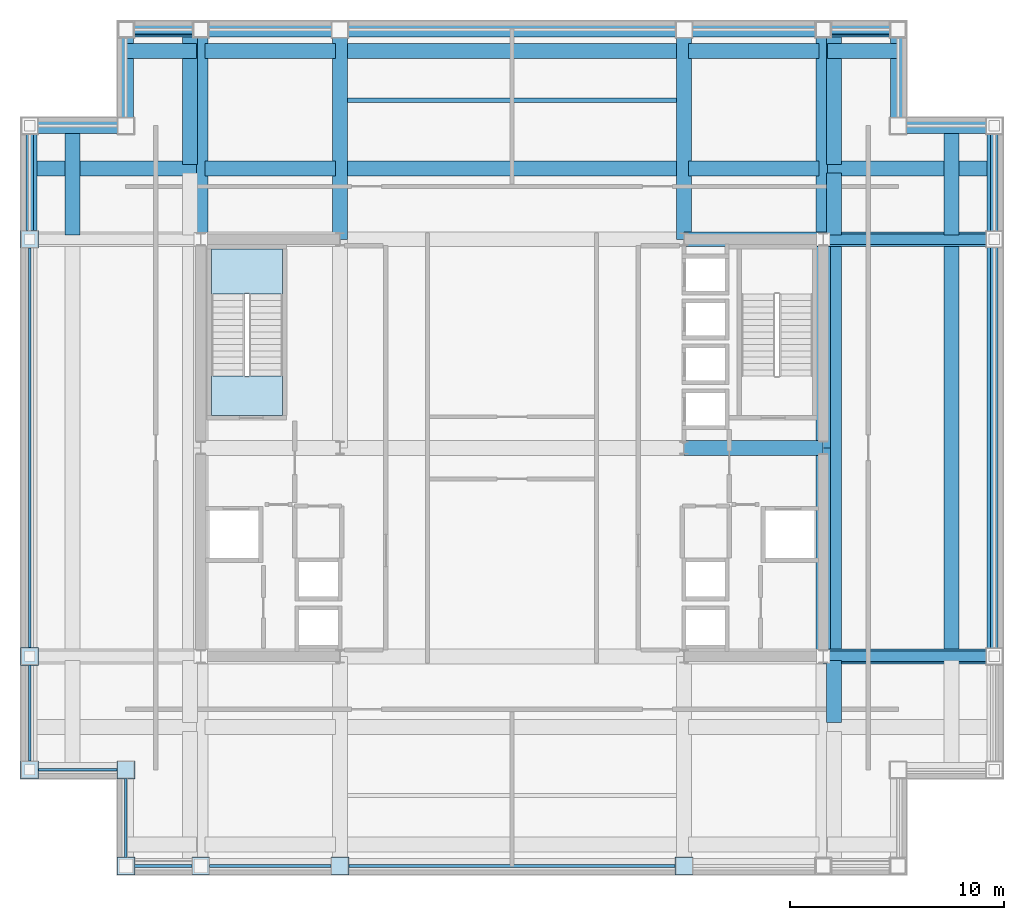
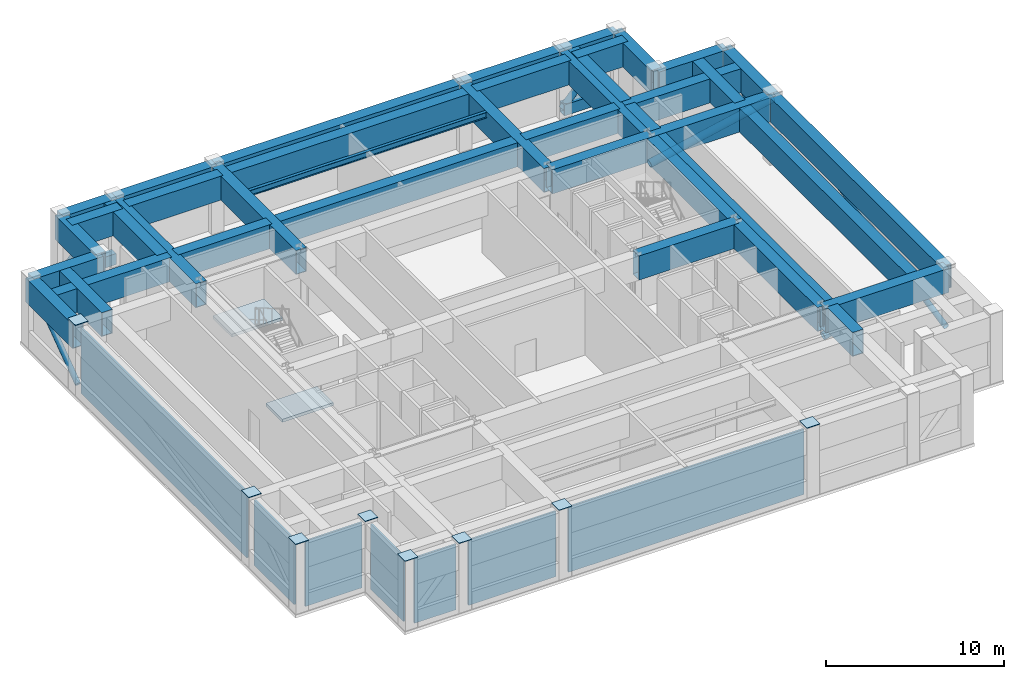
# One storey, part 2 of 9: 41 beams, 15 plates, 9 members, 2 slabs, 1 element without a shape of its own.
"""IFC4 building model written with IfcOpenShell, lengths in metres."""

from ifc_helpers import new_model, si_unit, direction, frame, origin, origin_2d, place, context, subcontext, project, spatial, polyline, rectangle, hollow_rectangle, hollow_circle, i_section, outline, extrude, material, layer, layer_set, material_profile, profile_set, type_object, element, aggregate, save


model = new_model("IFC4")

# Units and contexts
model_context = context("Model", 3, precision=1e-05, world=origin(), true_north=direction((0.0, 1.0)))
body_context = subcontext(model_context, "Body", "Model", "MODEL_VIEW")
ifc_project = project(units=[si_unit("LENGTHUNIT", "METRE"), si_unit("AREAUNIT", "SQUARE_METRE"), si_unit("VOLUMEUNIT", "CUBIC_METRE"), si_unit("PLANEANGLEUNIT", "RADIAN"), si_unit("MASSUNIT", "GRAM", prefix="KILO")], contexts=[model_context])

# Site, building, storey
site_placement = place(None, origin())
site = spatial("IfcSite", under=ifc_project, at=site_placement, CompositionType="ELEMENT")
building_placement = place(site_placement, origin())
building = spatial("IfcBuilding", under=site, at=building_placement, Name="Brelmoor Portico Tower", CompositionType="ELEMENT")
storey_placement = place(building_placement, frame((0.0, 0.0, 145.800048828125)))
storey = spatial("IfcBuildingStorey", under=building, at=storey_placement, Name="L38", CompositionType="ELEMENT", Elevation=145.800048828125)

# Beams
ifc_material_1 = material(Name="Steel Q355B", Category="steel")
ifc_material_profile_1 = material_profile(ifc_material_1, i_section(OverallWidth=0.199951171875, OverallDepth=0.39990234375, WebThickness=0.008056640625, FlangeThickness=0.012939453125, at=origin_2d()), Name="HN 400x200x8x13")
ifc_profile_set_1 = profile_set([ifc_material_profile_1], Name="Steel Q355B")
beam_type_1 = type_object("IfcBeamType", Name="BM-JS-400", PredefinedType="JOIST", material=ifc_profile_set_1)
beam_1_placement = place(storey_placement, frame((-7.699951171875, 16.25, 4.39990234375), z_axis=(1.0, 0.0, 0.0), x_axis=(0.0, 1.0, 0.0)))
element("IfcBeam", 1, at=beam_1_placement, inside=storey, type_object=beam_type_1, Name="L38 Secondary Composite Joist JS-C02", PredefinedType="JOIST", context=body_context, shape_type="SweptSolid", body=[
    extrude(i_section(OverallWidth=0.199951171875, OverallDepth=0.39990234375, WebThickness=0.008056640625, FlangeThickness=0.012939453125, at=origin_2d()), origin(), (0.0, 0.0, 1.0), 15.39990234375),
])
ifc_material_profile_2 = material_profile(ifc_material_1, hollow_rectangle(XDim=0.699951171875, YDim=1.64990234375, WallThickness=0.0400390625, at=origin_2d()), Name="BOX 700x1650x40")
ifc_profile_set_2 = profile_set([ifc_material_profile_2], Name="Steel Q355B")
beam_type_2 = type_object("IfcBeamType", Name="BM-TG-Z3", PredefinedType="BEAM", material=ifc_profile_set_2)
for number, where, z_axis, x_axis, name in (
    (2, (-22.550048828125, 15.050048828125, 3.77490234375), (1.0, 0.0, 0.0), (0.0, 1.0, 0.0), "L38 Perimeter Transfer Beam SP-08"),
    (3, (18.050048828125, 15.050048828125, 3.77490234375), (1.0, 0.0, 0.0), (0.0, 1.0, 0.0), "L38 Perimeter Transfer Beam SP-09"),
):
    element("IfcBeam", number, at=place(storey_placement, frame(where, z_axis=z_axis, x_axis=x_axis)), inside=storey, type_object=beam_type_2, Name=name, PredefinedType="BEAM", context=body_context, shape_type="SweptSolid", body=[
        extrude(hollow_rectangle(XDim=0.699951171875, YDim=1.64990234375, WallThickness=0.0400390625, at=origin_2d()), origin(), (0.0, 0.0, 1.0), 4.5),
    ])
beam_2_placement = place(storey_placement, frame((-18.050048828125, 19.550048828125, 3.77490234375), z_axis=(1.0, 0.0, 0.0), x_axis=(0.0, 1.0, 0.0)))
element("IfcBeam", 4, at=beam_2_placement, inside=storey, type_object=beam_type_2, Name="L38 Perimeter Transfer Beam SP-10", PredefinedType="BEAM", context=body_context, shape_type="SweptSolid", body=[
    extrude(hollow_rectangle(XDim=0.699951171875, YDim=1.64990234375, WallThickness=0.0400390625, at=origin_2d()), origin(), (0.0, 0.0, 1.0), 3.5),
])
beam_3_placement = place(storey_placement, frame((-14.550048828125, 19.550048828125, 3.77490234375), z_axis=(1.0, 0.0, 0.0), x_axis=(0.0, 1.0, 0.0)))
element("IfcBeam", 5, at=beam_3_placement, inside=storey, type_object=beam_type_2, Name="L38 Perimeter Transfer Beam SP-11", PredefinedType="BEAM", context=body_context, shape_type="SweptSolid", body=[
    extrude(hollow_rectangle(XDim=0.699951171875, YDim=1.64990234375, WallThickness=0.0400390625, at=origin_2d()), origin(), (0.0, 0.0, 1.0), 6.5),
])
beam_4_placement = place(storey_placement, frame((-8.050048828125, 19.550048828125, 3.77490234375), z_axis=(1.0, 0.0, 0.0), x_axis=(0.0, 1.0, 0.0)))
element("IfcBeam", 6, at=beam_4_placement, inside=storey, type_object=beam_type_2, Name="L38 Perimeter Transfer Beam SP-12", PredefinedType="BEAM", context=body_context, shape_type="SweptSolid", body=[
    extrude(hollow_rectangle(XDim=0.699951171875, YDim=1.64990234375, WallThickness=0.0400390625, at=origin_2d()), origin(), (0.0, 0.0, 1.0), 16.10009765625),
])
beam_5_placement = place(storey_placement, frame((8.050048828125, 19.550048828125, 3.77490234375), z_axis=(1.0, 0.0, 0.0), x_axis=(0.0, 1.0, 0.0)))
element("IfcBeam", 7, at=beam_5_placement, inside=storey, type_object=beam_type_2, Name="L38 Perimeter Transfer Beam SP-13", PredefinedType="BEAM", context=body_context, shape_type="SweptSolid", body=[
    extrude(hollow_rectangle(XDim=0.699951171875, YDim=1.64990234375, WallThickness=0.0400390625, at=origin_2d()), origin(), (0.0, 0.0, 1.0), 6.5),
])
beam_6_placement = place(storey_placement, frame((14.550048828125, 19.550048828125, 3.77490234375), z_axis=(1.0, 0.0, 0.0), x_axis=(0.0, 1.0, 0.0)))
element("IfcBeam", 8, at=beam_6_placement, inside=storey, type_object=beam_type_2, Name="L38 Perimeter Transfer Beam SP-14", PredefinedType="BEAM", context=body_context, shape_type="SweptSolid", body=[
    extrude(hollow_rectangle(XDim=0.699951171875, YDim=1.64990234375, WallThickness=0.0400390625, at=origin_2d()), origin(), (0.0, 0.0, 1.0), 3.5),
])
beam_7_placement = place(storey_placement, frame((-22.550048828125, 9.75, 3.77490234375), z_axis=(0.0, 1.0, 0.0), x_axis=(-1.0, 0.0, 0.0)))
element("IfcBeam", 9, at=beam_7_placement, inside=storey, type_object=beam_type_2, Name="L38 Perimeter Transfer Beam SP-17", PredefinedType="BEAM", context=body_context, shape_type="SweptSolid", body=[
    extrude(hollow_rectangle(XDim=0.699951171875, YDim=1.64990234375, WallThickness=0.0400390625, at=origin_2d()), origin(), (0.0, 0.0, 1.0), 5.300048828125),
])
for number, where, z_axis, x_axis, name in (
    (10, (-18.050048828125, 15.050048828125, 3.77490234375), (0.0, 1.0, 0.0), (-1.0, 0.0, 0.0), "L38 Perimeter Transfer Beam SP-19"),
    (11, (18.050048828125, 15.050048828125, 3.77490234375), (0.0, 1.0, 0.0), (-1.0, 0.0, 0.0), "L38 Perimeter Transfer Beam SP-21"),
):
    element("IfcBeam", number, at=place(storey_placement, frame(where, z_axis=z_axis, x_axis=x_axis)), inside=storey, type_object=beam_type_2, Name=name, PredefinedType="BEAM", context=body_context, shape_type="SweptSolid", body=[
        extrude(hollow_rectangle(XDim=0.699951171875, YDim=1.64990234375, WallThickness=0.0400390625, at=origin_2d()), origin(), (0.0, 0.0, 1.0), 4.5),
    ])
beam_8_placement = place(storey_placement, frame((22.550048828125, -9.75, 3.77490234375), z_axis=(0.0, 1.0, 0.0), x_axis=(-1.0, 0.0, 0.0)))
element("IfcBeam", 12, at=beam_8_placement, inside=storey, type_object=beam_type_2, Name="L38 Perimeter Transfer Beam SP-23", PredefinedType="BEAM", context=body_context, shape_type="SweptSolid", body=[
    extrude(hollow_rectangle(XDim=0.699951171875, YDim=1.64990234375, WallThickness=0.0400390625, at=origin_2d()), origin(), (0.0, 0.0, 1.0), 19.5),
])
beam_9_placement = place(storey_placement, frame((22.550048828125, 9.75, 3.77490234375), z_axis=(0.0, 1.0, 0.0), x_axis=(-1.0, 0.0, 0.0)))
element("IfcBeam", 13, at=beam_9_placement, inside=storey, type_object=beam_type_2, Name="L38 Perimeter Transfer Beam SP-24", PredefinedType="BEAM", context=body_context, shape_type="SweptSolid", body=[
    extrude(hollow_rectangle(XDim=0.699951171875, YDim=1.64990234375, WallThickness=0.0400390625, at=origin_2d()), origin(), (0.0, 0.0, 1.0), 5.300048828125),
])
for number, where, z_axis, x_axis, name in (
    (14, (-14.550048828125, 9.75, 3.77490234375), (0.0, 1.0, 0.0), (-1.0, 0.0, 0.0), "L38 Setback Transfer Girder PG-04"),
    (15, (-8.050048828125, 9.75, 3.77490234375), (0.0, 1.0, 0.0), (-1.0, 0.0, 0.0), "L38 Setback Transfer Girder PG-07"),
    (16, (8.050048828125, 9.75, 3.77490234375), (0.0, 1.0, 0.0), (-1.0, 0.0, 0.0), "L38 Setback Transfer Girder PG-09"),
):
    element("IfcBeam", number, at=place(storey_placement, frame(where, z_axis=z_axis, x_axis=x_axis)), inside=storey, type_object=beam_type_2, Name=name, PredefinedType="BEAM", context=body_context, shape_type="SweptSolid", body=[
        extrude(hollow_rectangle(XDim=0.699951171875, YDim=1.64990234375, WallThickness=0.0400390625, at=origin_2d()), origin(), (0.0, 0.0, 1.0), 9.800048828125),
    ])
for number, where, z_axis, x_axis, name in (
    (17, (14.550048828125, -9.75, 3.77490234375), (0.0, 1.0, 0.0), (-1.0, 0.0, 0.0), "L38 Setback Transfer Girder PG-11"),
    (18, (14.550048828125, 0.0, 3.77490234375), (0.0, 1.0, 0.0), (-1.0, 0.0, 0.0), "L38 Setback Transfer Girder PG-12"),
):
    element("IfcBeam", number, at=place(storey_placement, frame(where, z_axis=z_axis, x_axis=x_axis)), inside=storey, type_object=beam_type_2, Name=name, PredefinedType="BEAM", context=body_context, shape_type="SweptSolid", body=[
        extrude(hollow_rectangle(XDim=0.699951171875, YDim=1.64990234375, WallThickness=0.0400390625, at=origin_2d()), origin(), (0.0, 0.0, 1.0), 9.75),
    ])
beam_10_placement = place(storey_placement, frame((14.550048828125, 9.75, 3.77490234375), z_axis=(0.0, 1.0, 0.0), x_axis=(-1.0, 0.0, 0.0)))
element("IfcBeam", 19, at=beam_10_placement, inside=storey, type_object=beam_type_2, Name="L38 Setback Transfer Girder PG-13", PredefinedType="BEAM", context=body_context, shape_type="SweptSolid", body=[
    extrude(hollow_rectangle(XDim=0.699951171875, YDim=1.64990234375, WallThickness=0.0400390625, at=origin_2d()), origin(), (0.0, 0.0, 1.0), 9.800048828125),
])
beam_11_placement = place(storey_placement, frame((14.550048828125, -9.75, 3.77490234375), z_axis=(1.0, 0.0, 0.0), x_axis=(0.0, 1.0, 0.0)))
element("IfcBeam", 20, at=beam_11_placement, inside=storey, type_object=beam_type_2, Name="L38 Setback Transfer Girder PG-18", PredefinedType="BEAM", context=body_context, shape_type="SweptSolid", body=[
    extrude(hollow_rectangle(XDim=0.699951171875, YDim=1.64990234375, WallThickness=0.0400390625, at=origin_2d()), origin(), (0.0, 0.0, 1.0), 8.0),
])
for number, where, z_axis, x_axis, name in (
    (21, (8.050048828125, 0.0, 3.77490234375), (1.0, 0.0, 0.0), (0.0, 1.0, 0.0), "L38 Setback Transfer Girder PG-21"),
    (22, (8.050048828125, 9.75, 3.77490234375), (1.0, 0.0, 0.0), (0.0, 1.0, 0.0), "L38 Setback Transfer Girder PG-25"),
):
    element("IfcBeam", number, at=place(storey_placement, frame(where, z_axis=z_axis, x_axis=x_axis)), inside=storey, type_object=beam_type_2, Name=name, PredefinedType="BEAM", context=body_context, shape_type="SweptSolid", body=[
        extrude(hollow_rectangle(XDim=0.699951171875, YDim=1.64990234375, WallThickness=0.0400390625, at=origin_2d()), origin(), (0.0, 0.0, 1.0), 6.5),
    ])
beam_12_placement = place(storey_placement, frame((14.550048828125, 9.75, 3.77490234375), z_axis=(1.0, 0.0, 0.0), x_axis=(0.0, 1.0, 0.0)))
element("IfcBeam", 23, at=beam_12_placement, inside=storey, type_object=beam_type_2, Name="L38 Setback Transfer Girder PG-26", PredefinedType="BEAM", context=body_context, shape_type="SweptSolid", body=[
    extrude(hollow_rectangle(XDim=0.699951171875, YDim=1.64990234375, WallThickness=0.0400390625, at=origin_2d()), origin(), (0.0, 0.0, 1.0), 8.0),
])
beam_13_placement = place(storey_placement, frame((-18.050048828125, 18.550048828125, 3.77490234375), z_axis=(1.0, 0.0, 0.0), x_axis=(0.0, 1.0, 0.0)))
element("IfcBeam", 24, at=beam_13_placement, inside=storey, type_object=beam_type_2, Name="L38 Setback Transfer Girder TGN-06", PredefinedType="BEAM", context=body_context, shape_type="SweptSolid", body=[
    extrude(hollow_rectangle(XDim=0.699951171875, YDim=1.64990234375, WallThickness=0.0400390625, at=origin_2d()), origin(), (0.0, 0.0, 1.0), 3.300048828125),
])
beam_14_placement = place(storey_placement, frame((-14.35009765625, 18.550048828125, 3.77490234375), z_axis=(1.0, 0.0, 0.0), x_axis=(0.0, 1.0, 0.0)))
element("IfcBeam", 25, at=beam_14_placement, inside=storey, type_object=beam_type_2, Name="L38 Setback Transfer Girder TGN-07", PredefinedType="BEAM", context=body_context, shape_type="SweptSolid", body=[
    extrude(hollow_rectangle(XDim=0.699951171875, YDim=1.64990234375, WallThickness=0.0400390625, at=origin_2d()), origin(), (0.0, 0.0, 1.0), 6.10009765625),
])
beam_15_placement = place(storey_placement, frame((-7.85009765625, 18.550048828125, 3.77490234375), z_axis=(1.0, 0.0, 0.0), x_axis=(0.0, 1.0, 0.0)))
element("IfcBeam", 26, at=beam_15_placement, inside=storey, type_object=beam_type_2, Name="L38 Setback Transfer Girder TGN-08", PredefinedType="BEAM", context=body_context, shape_type="SweptSolid", body=[
    extrude(hollow_rectangle(XDim=0.699951171875, YDim=1.64990234375, WallThickness=0.0400390625, at=origin_2d()), origin(), (0.0, 0.0, 1.0), 15.7001953125),
])
beam_16_placement = place(storey_placement, frame((8.25, 18.550048828125, 3.77490234375), z_axis=(1.0, 0.0, 0.0), x_axis=(0.0, 1.0, 0.0)))
element("IfcBeam", 27, at=beam_16_placement, inside=storey, type_object=beam_type_2, Name="L38 Setback Transfer Girder TGN-09", PredefinedType="BEAM", context=body_context, shape_type="SweptSolid", body=[
    extrude(hollow_rectangle(XDim=0.699951171875, YDim=1.64990234375, WallThickness=0.0400390625, at=origin_2d()), origin(), (0.0, 0.0, 1.0), 6.10009765625),
])
beam_17_placement = place(storey_placement, frame((14.75, 18.550048828125, 3.77490234375), z_axis=(1.0, 0.0, 0.0), x_axis=(0.0, 1.0, 0.0)))
element("IfcBeam", 28, at=beam_17_placement, inside=storey, type_object=beam_type_2, Name="L38 Setback Transfer Girder TGN-10", PredefinedType="BEAM", context=body_context, shape_type="SweptSolid", body=[
    extrude(hollow_rectangle(XDim=0.699951171875, YDim=1.64990234375, WallThickness=0.0400390625, at=origin_2d()), origin(), (0.0, 0.0, 1.0), 3.300048828125),
])
beam_18_placement = place(storey_placement, frame((-22.550048828125, 13.050048828125, 3.77490234375), z_axis=(1.0, 0.0, 0.0), x_axis=(0.0, 1.0, 0.0)))
element("IfcBeam", 29, at=beam_18_placement, inside=storey, type_object=beam_type_2, Name="L38 Setback Transfer Girder TGN-16", PredefinedType="BEAM", context=body_context, shape_type="SweptSolid", body=[
    extrude(hollow_rectangle(XDim=0.699951171875, YDim=1.64990234375, WallThickness=0.0400390625, at=origin_2d()), origin(), (0.0, 0.0, 1.0), 7.800048828125),
])
beam_19_placement = place(storey_placement, frame((-14.35009765625, 13.050048828125, 3.77490234375), z_axis=(1.0, 0.0, 0.0), x_axis=(0.0, 1.0, 0.0)))
element("IfcBeam", 30, at=beam_19_placement, inside=storey, type_object=beam_type_2, Name="L38 Setback Transfer Girder TGN-17", PredefinedType="BEAM", context=body_context, shape_type="SweptSolid", body=[
    extrude(hollow_rectangle(XDim=0.699951171875, YDim=1.64990234375, WallThickness=0.0400390625, at=origin_2d()), origin(), (0.0, 0.0, 1.0), 6.10009765625),
])
beam_20_placement = place(storey_placement, frame((-7.85009765625, 13.050048828125, 3.77490234375), z_axis=(1.0, 0.0, 0.0), x_axis=(0.0, 1.0, 0.0)))
element("IfcBeam", 31, at=beam_20_placement, inside=storey, type_object=beam_type_2, Name="L38 Setback Transfer Girder TGN-18", PredefinedType="BEAM", context=body_context, shape_type="SweptSolid", body=[
    extrude(hollow_rectangle(XDim=0.699951171875, YDim=1.64990234375, WallThickness=0.0400390625, at=origin_2d()), origin(), (0.0, 0.0, 1.0), 15.7001953125),
])
beam_21_placement = place(storey_placement, frame((8.25, 13.050048828125, 3.77490234375), z_axis=(1.0, 0.0, 0.0), x_axis=(0.0, 1.0, 0.0)))
element("IfcBeam", 32, at=beam_21_placement, inside=storey, type_object=beam_type_2, Name="L38 Setback Transfer Girder TGN-19", PredefinedType="BEAM", context=body_context, shape_type="SweptSolid", body=[
    extrude(hollow_rectangle(XDim=0.699951171875, YDim=1.64990234375, WallThickness=0.0400390625, at=origin_2d()), origin(), (0.0, 0.0, 1.0), 6.10009765625),
])
beam_22_placement = place(storey_placement, frame((14.75, 13.050048828125, 3.77490234375), z_axis=(1.0, 0.0, 0.0), x_axis=(0.0, 1.0, 0.0)))
element("IfcBeam", 33, at=beam_22_placement, inside=storey, type_object=beam_type_2, Name="L38 Setback Transfer Girder TGN-20", PredefinedType="BEAM", context=body_context, shape_type="SweptSolid", body=[
    extrude(hollow_rectangle(XDim=0.699951171875, YDim=1.64990234375, WallThickness=0.0400390625, at=origin_2d()), origin(), (0.0, 0.0, 1.0), 7.800048828125),
])
beam_23_placement = place(storey_placement, frame((-15.050048828125, 13.25, 3.77490234375), z_axis=(0.0, 1.0, 0.0), x_axis=(-1.0, 0.0, 0.0)))
element("IfcBeam", 34, at=beam_23_placement, inside=storey, type_object=beam_type_2, Name="L38 Setback Transfer Girder TGN-25", PredefinedType="BEAM", context=body_context, shape_type="SweptSolid", body=[
    extrude(hollow_rectangle(XDim=0.699951171875, YDim=1.64990234375, WallThickness=0.0400390625, at=origin_2d()), origin(), (0.0, 0.0, 1.0), 6.300048828125),
])
beam_24_placement = place(storey_placement, frame((15.050048828125, -12.85009765625, 3.77490234375), z_axis=(0.0, 1.0, 0.0), x_axis=(-1.0, 0.0, 0.0)))
element("IfcBeam", 35, at=beam_24_placement, inside=storey, type_object=beam_type_2, Name="L38 Setback Transfer Girder TGN-27", PredefinedType="BEAM", context=body_context, shape_type="SweptSolid", body=[
    extrude(hollow_rectangle(XDim=0.699951171875, YDim=1.64990234375, WallThickness=0.0400390625, at=origin_2d()), origin(), (0.0, 0.0, 1.0), 2.900146484375),
])
beam_25_placement = place(storey_placement, frame((15.050048828125, -9.550048828125, 3.77490234375), z_axis=(0.0, 1.0, 0.0), x_axis=(-1.0, 0.0, 0.0)))
element("IfcBeam", 36, at=beam_25_placement, inside=storey, type_object=beam_type_2, Name="L38 Setback Transfer Girder TGN-28", PredefinedType="BEAM", context=body_context, shape_type="SweptSolid", body=[
    extrude(hollow_rectangle(XDim=0.699951171875, YDim=1.64990234375, WallThickness=0.0400390625, at=origin_2d()), origin(), (0.0, 0.0, 1.0), 19.10009765625),
])
beam_26_placement = place(storey_placement, frame((15.050048828125, 9.949951171875, 3.77490234375), z_axis=(0.0, 1.0, 0.0), x_axis=(-1.0, 0.0, 0.0)))
element("IfcBeam", 37, at=beam_26_placement, inside=storey, type_object=beam_type_2, Name="L38 Setback Transfer Girder TGN-29", PredefinedType="BEAM", context=body_context, shape_type="SweptSolid", body=[
    extrude(hollow_rectangle(XDim=0.699951171875, YDim=1.64990234375, WallThickness=0.0400390625, at=origin_2d()), origin(), (0.0, 0.0, 1.0), 2.900146484375),
])
beam_27_placement = place(storey_placement, frame((15.050048828125, 13.25, 3.77490234375), z_axis=(0.0, 1.0, 0.0), x_axis=(-1.0, 0.0, 0.0)))
element("IfcBeam", 38, at=beam_27_placement, inside=storey, type_object=beam_type_2, Name="L38 Setback Transfer Girder TGN-30", PredefinedType="BEAM", context=body_context, shape_type="SweptSolid", body=[
    extrude(hollow_rectangle(XDim=0.699951171875, YDim=1.64990234375, WallThickness=0.0400390625, at=origin_2d()), origin(), (0.0, 0.0, 1.0), 6.300048828125),
])
beam_28_placement = place(storey_placement, frame((-20.550048828125, 9.949951171875, 3.77490234375), z_axis=(0.0, 1.0, 0.0), x_axis=(-1.0, 0.0, 0.0)))
element("IfcBeam", 39, at=beam_28_placement, inside=storey, type_object=beam_type_2, Name="L38 Setback Transfer Girder TGN-33", PredefinedType="BEAM", context=body_context, shape_type="SweptSolid", body=[
    extrude(hollow_rectangle(XDim=0.699951171875, YDim=1.64990234375, WallThickness=0.0400390625, at=origin_2d()), origin(), (0.0, 0.0, 1.0), 5.10009765625),
])
beam_29_placement = place(storey_placement, frame((20.550048828125, -9.550048828125, 3.77490234375), z_axis=(0.0, 1.0, 0.0), x_axis=(-1.0, 0.0, 0.0)))
element("IfcBeam", 40, at=beam_29_placement, inside=storey, type_object=beam_type_2, Name="L38 Setback Transfer Girder TGN-35", PredefinedType="BEAM", context=body_context, shape_type="SweptSolid", body=[
    extrude(hollow_rectangle(XDim=0.699951171875, YDim=1.64990234375, WallThickness=0.0400390625, at=origin_2d()), origin(), (0.0, 0.0, 1.0), 19.10009765625),
])
beam_30_placement = place(storey_placement, frame((20.550048828125, 9.949951171875, 3.77490234375), z_axis=(0.0, 1.0, 0.0), x_axis=(-1.0, 0.0, 0.0)))
element("IfcBeam", 41, at=beam_30_placement, inside=storey, type_object=beam_type_2, Name="L38 Setback Transfer Girder TGN-36", PredefinedType="BEAM", context=body_context, shape_type="SweptSolid", body=[
    extrude(hollow_rectangle(XDim=0.699951171875, YDim=1.64990234375, WallThickness=0.0400390625, at=origin_2d()), origin(), (0.0, 0.0, 1.0), 5.10009765625),
])

# Members
ifc_material_profile_3 = material_profile(ifc_material_1, hollow_rectangle(XDim=0.5, YDim=0.75, WallThickness=0.030029296875, at=origin_2d()), Name="RHS 500x750x30")
ifc_profile_set_3 = profile_set([ifc_material_profile_3], Name="Steel Q355B")
member_type_1 = type_object("IfcMemberType", Name="MB-BELT-CHORD", PredefinedType="CHORD", material=ifc_profile_set_3)
for number, where, z_axis, x_axis, name in (
    (42, (-18.050048828125, 19.550048828125, 0.39990234375), (1.0, 0.0, 0.0), (0.0, 1.0, 0.0), "L38 Belt Truss Bottom Chord BC-03"),
    (43, (14.550048828125, 19.550048828125, 0.39990234375), (1.0, 0.0, 0.0), (0.0, 1.0, 0.0), "L38 Belt Truss Bottom Chord BC-04"),
):
    element("IfcMember", number, at=place(storey_placement, frame(where, z_axis=z_axis, x_axis=x_axis)), inside=storey, type_object=member_type_1, Name=name, PredefinedType="CHORD", context=body_context, shape_type="SweptSolid", body=[
        extrude(hollow_rectangle(XDim=0.5, YDim=0.75, WallThickness=0.030029296875, at=origin_2d()), origin(), (0.0, 0.0, 1.0), 3.5),
    ])
ifc_material_profile_4 = material_profile(ifc_material_1, hollow_circle(Radius=0.212890625, WallThickness=0.02001953125, at=origin_2d()), Name="CHS 426x20")
ifc_profile_set_4 = profile_set([ifc_material_profile_4], Name="Steel Q355B")
member_type_2 = type_object("IfcMemberType", Name="MB-BELT-DIAG1", PredefinedType="BRACE", material=ifc_profile_set_4)
for number, where, z_axis, x_axis, name in (
    (44, (-18.050048828125, 19.550048828125, 0.39990234375), (0.67266345215, 0.0, 0.739948565876), (0.0, 1.0, 0.0), "L38 Belt Truss Diagonal BT-03A"),
    (45, (14.550048828125, 19.550048828125, 0.39990234375), (0.67266345215, 0.0, 0.739948565876), (0.0, 1.0, 0.0), "L38 Belt Truss Diagonal BT-04A"),
):
    element("IfcMember", number, at=place(storey_placement, frame(where, z_axis=z_axis, x_axis=x_axis)), inside=storey, type_object=member_type_2, Name=name, PredefinedType="BRACE", context=body_context, shape_type="SweptSolid", body=[
        extrude(hollow_circle(Radius=0.212890625, WallThickness=0.02001953125, at=origin_2d()), origin(), (0.0, 0.0, 1.0), 5.203125),
    ])
ifc_material_profile_5 = material_profile(ifc_material_1, hollow_circle(Radius=0.177978515625, WallThickness=0.01611328125, at=origin_2d()), Name="CHS 356x16")
ifc_profile_set_5 = profile_set([ifc_material_profile_5], Name="Steel Q355B")
member_type_3 = type_object("IfcMemberType", Name="MB-BELT-DIAG2", PredefinedType="BRACE", material=ifc_profile_set_5)
member_1_placement = place(storey_placement, frame((-22.550048828125, 9.75, 0.39990234375), z_axis=(0.0, 0.809061505665, 0.587723982879), x_axis=(-1.0, 0.0, 0.0)))
element("IfcMember", 46, at=member_1_placement, inside=storey, type_object=member_type_3, Name="L38 Belt Truss Diagonal BT-07B", PredefinedType="BRACE", context=body_context, shape_type="SweptSolid", body=[
    extrude(hollow_circle(Radius=0.177978515625, WallThickness=0.01611328125, at=origin_2d()), origin(), (0.0, 0.0, 1.0), 6.55078125),
])
member_2_placement = place(storey_placement, frame((22.550048828125, -9.75, 0.39990234375), z_axis=(0.0, 0.98106051694, 0.193701476765), x_axis=(-1.0, 0.0, 0.0)))
element("IfcMember", 47, at=member_2_placement, inside=storey, type_object=member_type_3, Name="L38 Belt Truss Diagonal BT-09B", PredefinedType="BRACE", context=body_context, shape_type="SweptSolid", body=[
    extrude(hollow_circle(Radius=0.177978515625, WallThickness=0.01611328125, at=origin_2d()), origin(), (0.0, 0.0, 1.0), 19.87646484375),
])
member_3_placement = place(storey_placement, frame((22.550048828125, 9.75, 0.39990234375), z_axis=(0.0, 0.809061505665, 0.587723982879), x_axis=(-1.0, 0.0, 0.0)))
element("IfcMember", 48, at=member_3_placement, inside=storey, type_object=member_type_3, Name="L38 Belt Truss Diagonal BT-10B", PredefinedType="BRACE", context=body_context, shape_type="SweptSolid", body=[
    extrude(hollow_circle(Radius=0.177978515625, WallThickness=0.01611328125, at=origin_2d()), origin(), (0.0, 0.0, 1.0), 6.55078125),
])
ifc_material_profile_6 = material_profile(ifc_material_1, hollow_circle(Radius=0.25390625, WallThickness=0.02490234375, at=origin_2d()), Name="CHS 508x25")
ifc_profile_set_6 = profile_set([ifc_material_profile_6], Name="Steel Q355B")
member_type_4 = type_object("IfcMemberType", Name="MB-OUTRIGGER-1", PredefinedType="BRACE", material=ifc_profile_set_6)
for number, where, z_axis, x_axis, name in (
    (49, (14.550048828125, -9.75, 2.550048828125), (0.978160064759, 0.0, 0.207853043546), (0.0, 1.0, 0.0), "L38 Outrigger Truss Diagonal OT-02"),
    (50, (14.550048828125, 9.75, 2.550048828125), (0.978160064759, 0.0, 0.207853043546), (0.0, 1.0, 0.0), "L38 Outrigger Truss Diagonal OT-04"),
):
    element("IfcMember", number, at=place(storey_placement, frame(where, z_axis=z_axis, x_axis=x_axis)), inside=storey, type_object=member_type_4, Name=name, PredefinedType="BRACE", context=body_context, shape_type="SweptSolid", body=[
        extrude(hollow_circle(Radius=0.25390625, WallThickness=0.02490234375, at=origin_2d()), origin(), (0.0, 0.0, 1.0), 8.1787109375),
    ])

# Plates
ifc_layer_1 = layer(ifc_material_1, 0.044921875)
ifc_layer_set_1 = layer_set([ifc_layer_1], Name="Steel Q355B")
plate_type_1 = type_object("IfcPlateType", Name="PT-CAP-650", PredefinedType="SHEET", material=ifc_layer_set_1)
for number, where, z_axis, x_axis, name in (
    (51, (-18.050048828125, -19.550048828125, 4.800048828125), (0.0, 0.0, 1.0), (1.0, 0.0, 0.0), "L38 Perimeter Mega-Column PS01 Welded Head Cap Plate"),
    (52, (-14.550048828125, -19.550048828125, 4.800048828125), (0.0, 0.0, 1.0), (1.0, 0.0, 0.0), "L38 Perimeter Mega-Column PS02 Welded Head Cap Plate"),
    (53, (-8.050048828125, -19.550048828125, 4.800048828125), (0.0, 0.0, 1.0), (1.0, 0.0, 0.0), "L38 Perimeter Mega-Column PS03 Welded Head Cap Plate"),
    (54, (8.050048828125, -19.550048828125, 4.800048828125), (0.0, 0.0, 1.0), (1.0, 0.0, 0.0), "L38 Perimeter Mega-Column PS04 Welded Head Cap Plate"),
    (55, (-22.550048828125, -15.050048828125, 4.800048828125), (0.0, 0.0, 1.0), (0.0, 1.0, 0.0), "L38 Perimeter Mega-Column PW01 Welded Head Cap Plate"),
    (56, (-22.550048828125, -9.75, 4.800048828125), (0.0, 0.0, 1.0), (0.0, 1.0, 0.0), "L38 Perimeter Mega-Column PW02 Welded Head Cap Plate"),
    (57, (-22.550048828125, 9.75, 4.800048828125), (0.0, 0.0, 1.0), (0.0, 1.0, 0.0), "L38 Perimeter Mega-Column PW03 Welded Head Cap Plate"),
    (58, (-18.050048828125, -15.050048828125, 4.800048828125), (0.0, 0.0, 1.0), (1.0, 0.0, 0.0), "L38 Perimeter Mega-Column PC-SW Welded Head Cap Plate"),
):
    element("IfcPlate", number, at=place(storey_placement, frame(where, z_axis=z_axis, x_axis=x_axis)), inside=storey, type_object=plate_type_1, Name=name, PredefinedType="SHEET", context=body_context, shape_type="SweptSolid", body=[
        extrude(rectangle(XDim=0.840087890625, YDim=0.840087890625, at=origin_2d()), origin(), (0.0, 0.0, 1.0), 0.0400390625),
    ])
ifc_material_2 = material(Name="Pale Champagne Anodised Aluminium Crown Screen", Category="aluminium")
ifc_layer_2 = layer(ifc_material_2, 0.06494140625)
ifc_layer_set_2 = layer_set([ifc_layer_2], Name="Pale Champagne Anodised Aluminium Crown Screen")
plate_type_2 = type_object("IfcPlateType", Name="PT-CROWN-LOUVRE", PredefinedType="SHEET", material=ifc_layer_set_2)
plate_1_placement = place(storey_placement, frame((-16.300048828125, -19.550048828125, 0.06005859375), z_axis=(0.0, 0.0, 1.0), x_axis=(1.0, 0.0, 0.0)))
element("IfcPlate", 59, at=plate_1_placement, inside=storey, type_object=plate_type_2, Name="L38 Plant Acoustic Screen Panel S-1", PredefinedType="SHEET", context=body_context, shape_type="SweptSolid", body=[
    extrude(rectangle(XDim=2.679931640625, YDim=0.1201171875, at=origin_2d()), origin(), (0.0, 0.0, 1.0), 4.47998046875),
])
plate_2_placement = place(storey_placement, frame((-11.300048828125, -19.550048828125, 0.06005859375), z_axis=(0.0, 0.0, 1.0), x_axis=(1.0, 0.0, 0.0)))
element("IfcPlate", 60, at=plate_2_placement, inside=storey, type_object=plate_type_2, Name="L38 Plant Acoustic Screen Panel S-2", PredefinedType="SHEET", context=body_context, shape_type="SweptSolid", body=[
    extrude(rectangle(XDim=5.679931640625, YDim=0.1201171875, at=origin_2d()), origin(), (0.0, 0.0, 1.0), 4.47998046875),
])
plate_3_placement = place(storey_placement, frame((0.0, -19.550048828125, 0.06005859375), z_axis=(0.0, 0.0, 1.0), x_axis=(1.0, 0.0, 0.0)))
element("IfcPlate", 61, at=plate_3_placement, inside=storey, type_object=plate_type_2, Name="L38 Plant Acoustic Screen Panel S-3", PredefinedType="SHEET", context=body_context, shape_type="SweptSolid", body=[
    extrude(rectangle(XDim=15.280029296875, YDim=0.1201171875, at=origin_2d()), origin(), (0.0, 0.0, 1.0), 4.47998046875),
])
plate_4_placement = place(storey_placement, frame((-22.550048828125, -12.39990234375, 0.06005859375), z_axis=(0.0, 0.0, 1.0), x_axis=(0.0, 1.0, 0.0)))
element("IfcPlate", 62, at=plate_4_placement, inside=storey, type_object=plate_type_2, Name="L38 Plant Acoustic Screen Panel W-1", PredefinedType="SHEET", context=body_context, shape_type="SweptSolid", body=[
    extrude(rectangle(XDim=4.47998046875, YDim=0.1201171875, at=origin_2d()), origin(), (0.0, 0.0, 1.0), 4.47998046875),
])
plate_5_placement = place(storey_placement, frame((-22.550048828125, 0.0, 0.06005859375), z_axis=(0.0, 0.0, 1.0), x_axis=(0.0, 1.0, 0.0)))
element("IfcPlate", 63, at=plate_5_placement, inside=storey, type_object=plate_type_2, Name="L38 Plant Acoustic Screen Panel W-2", PredefinedType="SHEET", context=body_context, shape_type="SweptSolid", body=[
    extrude(rectangle(XDim=18.679931640625, YDim=0.1201171875, at=origin_2d()), origin(), (0.0, 0.0, 1.0), 4.47998046875),
])
for number, where, z_axis, x_axis, name in (
    (64, (-18.050048828125, -17.300048828125, 0.06005859375), (0.0, 0.0, 1.0), (0.0, 1.0, 0.0), "L38 Plant Acoustic Screen Panel SW1-1"),
    (65, (-20.300048828125, -15.050048828125, 0.06005859375), (0.0, 0.0, 1.0), (1.0, 0.0, 0.0), "L38 Plant Acoustic Screen Panel SW2-1"),
):
    element("IfcPlate", number, at=place(storey_placement, frame(where, z_axis=z_axis, x_axis=x_axis)), inside=storey, type_object=plate_type_2, Name=name, PredefinedType="SHEET", context=body_context, shape_type="SweptSolid", body=[
        extrude(rectangle(XDim=3.679931640625, YDim=0.1201171875, at=origin_2d()), origin(), (0.0, 0.0, 1.0), 4.47998046875),
    ])

# Stair, slab
ifc_material_3 = material(Name="Concrete C40", Category="concrete")
stair_type = type_object("IfcStairType", Name="ST-CORE-W", PredefinedType="HALF_TURN_STAIR", material=ifc_material_3)
stair_placement = place(storey_placement, origin())
stair = element("IfcStair", 66, at=stair_placement, inside=storey, type_object=stair_type, Name="L38 Protected Core Exit Stair ST-W", PredefinedType="HALF_TURN_STAIR")
ifc_layer_3 = layer(ifc_material_3, 0.179931640625)
ifc_layer_set_3 = layer_set([ifc_layer_3], Name="Concrete C40")
slab_type_1 = type_object("IfcSlabType", Name="SL-LANDING-180", PredefinedType="LANDING", material=ifc_layer_set_3)
slab_1_placement = place(storey_placement, frame((0.0, 0.0, 2.199951171875)))
slab_1 = element("IfcSlab", 67, at=slab_1_placement, type_object=slab_type_1, Name="ST-W landing 1", PredefinedType="LANDING", context=body_context, shape_type="SweptSolid", body=[
    extrude(outline(polyline([(-10.72998046875, 7.18505859375), (-10.72998046875, 9.300048828125), (-14.050048828125, 9.300048828125), (-14.050048828125, 7.18505859375), (-10.72998046875, 7.18505859375)])), origin(), (0.0, 0.0, 1.0), 0.199951171875),
])
aggregate(stair, [slab_1])

# Slab
ifc_layer_4 = layer(ifc_material_3, 0.199951171875)
ifc_layer_set_4 = layer_set([ifc_layer_4], Name="Concrete C40")
slab_type_2 = type_object("IfcSlabType", Name="SL-STAIR-FL200", PredefinedType="LANDING", material=ifc_layer_set_4)
slab_2_placement = place(storey_placement, frame((0.0, 0.0, -0.199951171875)))
element("IfcSlab", 68, at=slab_2_placement, inside=storey, type_object=slab_type_2, Name="L38 ST-W Structural Floor Landing Slab", PredefinedType="LANDING", context=body_context, shape_type="SweptSolid", body=[
    extrude(outline(polyline([(-10.72998046875, 1.5), (-10.72998046875, 3.35009765625), (-14.050048828125, 3.35009765625), (-14.050048828125, 1.5), (-10.72998046875, 1.5)])), origin(), (0.0, 0.0, 1.0), 0.199951171875),
])

save(model, "model.ifc")
